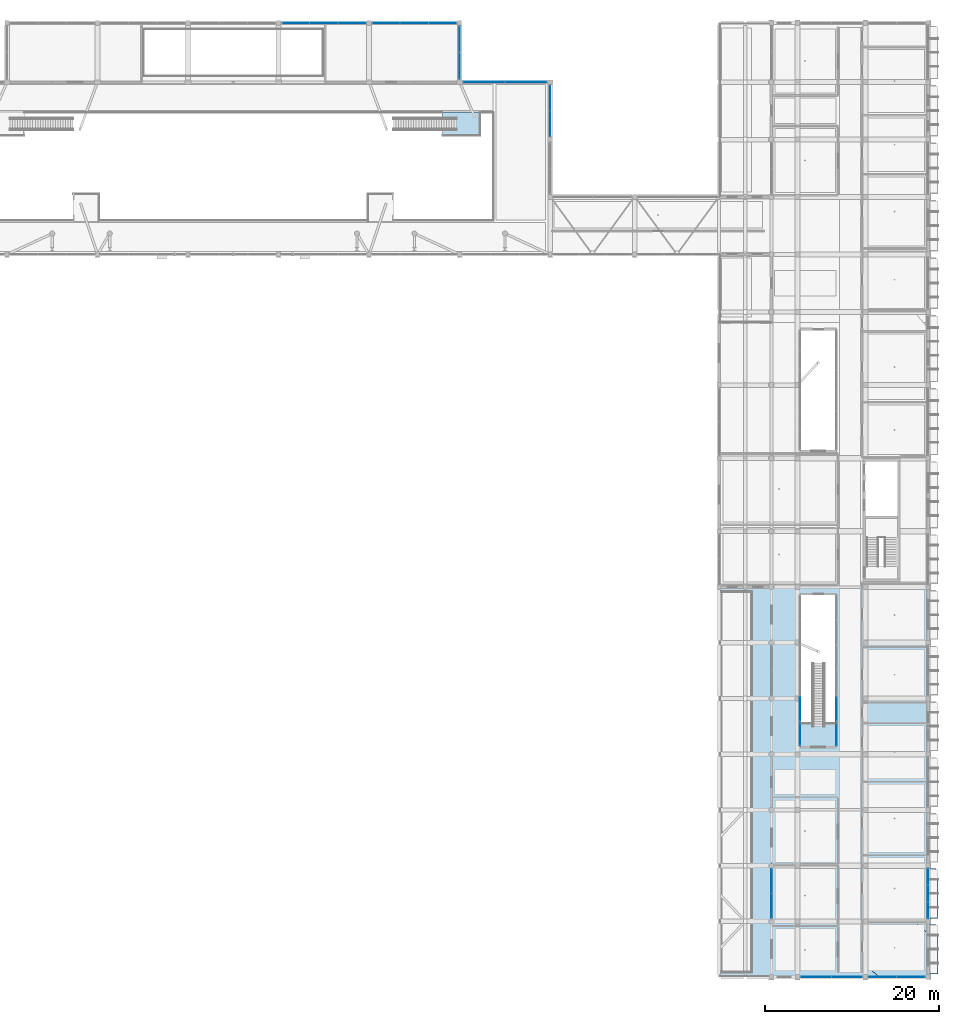
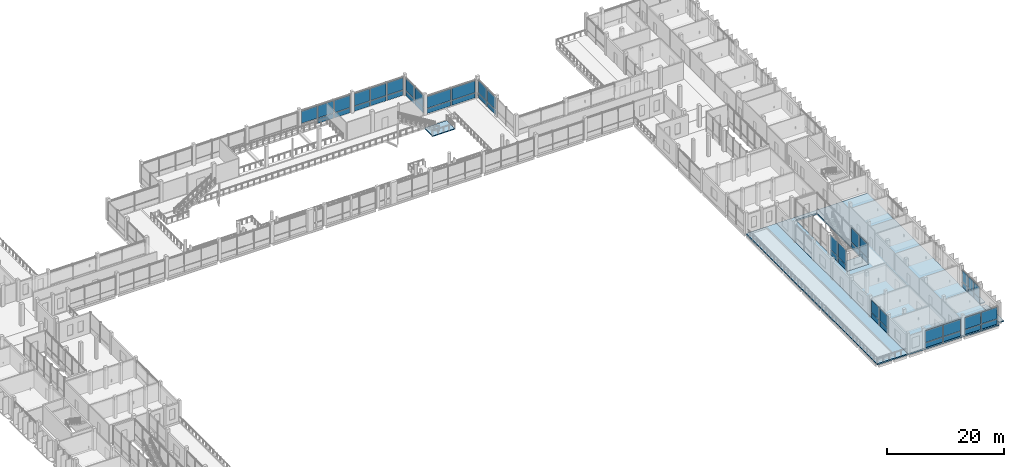
# One storey, part 48 of 95: 49 plates, 7 slabs, 11 elements without a shape of their own.
"""IFC4 building model written with IfcOpenShell, lengths in metres."""

from ifc_helpers import new_model, si_unit, derived_unit, direction, frame, origin, origin_2d, place, context, subcontext, project, spatial, polyline, rectangle, outline, extrude, material, layer, layer_set, type_object, element, aggregate, save


model = new_model("IFC4")

# Units and contexts
model_context = context("Model", 3, precision=1e-05, world=origin(), true_north=direction((0.0, 1.0)))
body_context = subcontext(model_context, "Body", "Model", "MODEL_VIEW")
ifc_project = project(units=[si_unit("LENGTHUNIT", "METRE"), si_unit("AREAUNIT", "SQUARE_METRE"), si_unit("VOLUMEUNIT", "CUBIC_METRE"), si_unit("PLANEANGLEUNIT", "RADIAN"), si_unit("MASSUNIT", "GRAM", prefix="KILO"), derived_unit("THERMALTRANSMITTANCEUNIT", [(si_unit("POWERUNIT", "WATT"), 1), (si_unit("LENGTHUNIT", "METRE"), -2), (si_unit("THERMODYNAMICTEMPERATUREUNIT", "KELVIN"), -1)])], contexts=[model_context])

# Site, building, storey
site_placement = place(None, origin())
site = spatial("IfcSite", under=ifc_project, at=site_placement, CompositionType="ELEMENT")
building_placement = place(site_placement, origin())
building = spatial("IfcBuilding", under=site, at=building_placement, Name="Braskholm Square Health Centre", CompositionType="ELEMENT")
storey_placement = place(building_placement, frame((0.0, 0.0, 4.800048828125)))
storey = spatial("IfcBuildingStorey", under=building, at=storey_placement, Name="L02", CompositionType="ELEMENT", Elevation=4.800048828125)

# Curtain wall, plates
ifc_material_1 = material(Name="Low-E triple insulating glass (VLT 0.64)", Category="glass")
curtain_wall_type_1 = type_object("IfcCurtainWallType", Name="UnitisedCurtainWall6200x3650", PredefinedType="NOTDEFINED", material=ifc_material_1)
curtain_wall_1_placement = place(storey_placement, origin())
curtain_wall_1 = element("IfcCurtainWall", 1, at=curtain_wall_1_placement, inside=storey, type_object=curtain_wall_type_1, Name="East Outer unitised curtain wall CW-L02-0052", PredefinedType="NOTDEFINED")
ifc_material_2 = material(Name="Architectural bronze anodised aluminium", Category="aluminium")
plate_type_1 = type_object("IfcPlateType", Name="CurtainPanelSpandrel1850x1020", PredefinedType="CURTAIN_PANEL", material=ifc_material_2)
plate_1_placement = place(storey_placement, frame((163.800048828125, 11.860107421875, 0.050048828125), z_axis=(0.0, 0.0, 1.0), x_axis=(0.0, 1.0, 0.0)))
plate_1 = element("IfcPlate", 2, at=plate_1_placement, type_object=plate_type_1, Name="CW-L02-0052 spandrel panel 1", PredefinedType="CURTAIN_PANEL", context=body_context, shape_type="SweptSolid", body=[
    extrude(rectangle(XDim=1.823486328125, YDim=0.035888671875, at=origin_2d()), origin(), (0.0, 0.0, 1.0), 1.02001953125),
])
plate_2_placement = place(storey_placement, frame((163.800048828125, 13.800048828125, 0.050048828125), z_axis=(0.0, 0.0, 1.0), x_axis=(0.0, 1.0, 0.0)))
plate_2 = element("IfcPlate", 3, at=plate_2_placement, type_object=plate_type_1, Name="CW-L02-0052 spandrel panel 2", PredefinedType="CURTAIN_PANEL", context=body_context, shape_type="SweptSolid", body=[
    extrude(rectangle(XDim=1.823486328125, YDim=0.035888671875, at=origin_2d()), origin(), (0.0, 0.0, 1.0), 1.02001953125),
])
plate_3_placement = place(storey_placement, frame((163.800048828125, 15.739990234375, 0.050048828125), z_axis=(0.0, 0.0, 1.0), x_axis=(0.0, 1.0, 0.0)))
plate_3 = element("IfcPlate", 4, at=plate_3_placement, type_object=plate_type_1, Name="CW-L02-0052 spandrel panel 3", PredefinedType="CURTAIN_PANEL", context=body_context, shape_type="SweptSolid", body=[
    extrude(rectangle(XDim=1.823486328125, YDim=0.035888671875, at=origin_2d()), origin(), (0.0, 0.0, 1.0), 1.02001953125),
])

curtain_wall_type_2 = type_object("IfcCurtainWallType", Name="UnitisedCurtainWall6200x3800", PredefinedType="NOTDEFINED", material=ifc_material_1)
curtain_wall_2_placement = place(storey_placement, origin())
curtain_wall_2 = element("IfcCurtainWall", 5, at=curtain_wall_2_placement, inside=storey, type_object=curtain_wall_type_2, Name="East Valley unitised curtain wall CW-L02-0117", PredefinedType="NOTDEFINED")
plate_type_2 = type_object("IfcPlateType", Name="CurtainPanelSpandrel2750x1020", PredefinedType="CURTAIN_PANEL", material=ifc_material_2)
plate_4_placement = place(storey_placement, frame((145.800048828125, 15.239990234375, 0.050048828125), z_axis=(0.0, 0.0, 1.0), x_axis=(0.0, -1.0, 0.0)))
plate_4 = element("IfcPlate", 6, at=plate_4_placement, type_object=plate_type_2, Name="CW-L02-0117 spandrel panel 1", PredefinedType="CURTAIN_PANEL", context=body_context, shape_type="SweptSolid", body=[
    extrude(rectangle(XDim=2.739990234375, YDim=0.035888671875, at=origin_2d()), origin(), (0.0, 0.0, 1.0), 1.02001953125),
])
plate_5_placement = place(storey_placement, frame((145.800048828125, 12.360107421875, 0.050048828125), z_axis=(0.0, 0.0, 1.0), x_axis=(0.0, -1.0, 0.0)))
plate_5 = element("IfcPlate", 7, at=plate_5_placement, type_object=plate_type_2, Name="CW-L02-0117 spandrel panel 2", PredefinedType="CURTAIN_PANEL", context=body_context, shape_type="SweptSolid", body=[
    extrude(rectangle(XDim=2.739990234375, YDim=0.035888671875, at=origin_2d()), origin(), (0.0, 0.0, 1.0), 1.02001953125),
])

curtain_wall_3_placement = place(storey_placement, origin())
curtain_wall_3 = element("IfcCurtainWall", 8, at=curtain_wall_3_placement, inside=storey, type_object=curtain_wall_type_2, Name="Hall Cheek L02 unitised curtain wall CW-L02-0224", PredefinedType="NOTDEFINED")
plate_6_placement = place(storey_placement, frame((120.39990234375, 102.218017578125, 0.050048828125), z_axis=(0.0, 0.0, 1.0), x_axis=(0.0, 1.0, 0.0)))
plate_6 = element("IfcPlate", 9, at=plate_6_placement, type_object=plate_type_2, Name="CW-L02-0224 spandrel panel 1", PredefinedType="CURTAIN_PANEL", context=body_context, shape_type="SweptSolid", body=[
    extrude(rectangle(XDim=2.820068359375, YDim=0.035888671875, at=origin_2d()), origin(), (0.0, 0.0, 1.0), 1.02001953125),
])
plate_7_placement = place(storey_placement, frame((120.39990234375, 105.181884765625, 0.050048828125), z_axis=(0.0, 0.0, 1.0), x_axis=(0.0, 1.0, 0.0)))
plate_7 = element("IfcPlate", 10, at=plate_7_placement, type_object=plate_type_2, Name="CW-L02-0224 spandrel panel 2", PredefinedType="CURTAIN_PANEL", context=body_context, shape_type="SweptSolid", body=[
    extrude(rectangle(XDim=2.820068359375, YDim=0.035888671875, at=origin_2d()), origin(), (0.0, 0.0, 1.0), 1.02001953125),
])

curtain_wall_4_placement = place(storey_placement, origin())
curtain_wall_4 = element("IfcCurtainWall", 11, at=curtain_wall_4_placement, inside=storey, type_object=curtain_wall_type_2, Name="Hydrotherapy East unitised curtain wall CW-L02-0248", PredefinedType="NOTDEFINED")
plate_8_placement = place(storey_placement, frame((110.0, 108.86865234375, 0.050048828125), z_axis=(0.0, 0.0, 1.0), x_axis=(0.0, 1.0, 0.0)))
plate_8 = element("IfcPlate", 12, at=plate_8_placement, type_object=plate_type_2, Name="CW-L02-0248 spandrel panel 1", PredefinedType="CURTAIN_PANEL", context=body_context, shape_type="SweptSolid", body=[
    extrude(rectangle(XDim=2.9140625, YDim=0.035888671875, at=origin_2d()), origin(), (0.0, 0.0, 1.0), 1.02001953125),
])
plate_9_placement = place(storey_placement, frame((110.0, 111.931396484375, 0.050048828125), z_axis=(0.0, 0.0, 1.0), x_axis=(0.0, 1.0, 0.0)))
plate_9 = element("IfcPlate", 13, at=plate_9_placement, type_object=plate_type_2, Name="CW-L02-0248 spandrel panel 2", PredefinedType="CURTAIN_PANEL", context=body_context, shape_type="SweptSolid", body=[
    extrude(rectangle(XDim=2.9140625, YDim=0.035888671875, at=origin_2d()), origin(), (0.0, 0.0, 1.0), 1.02001953125),
])

curtain_wall_type_3 = type_object("IfcCurtainWallType", Name="UnitisedCurtainWall5400x4100", PredefinedType="NOTDEFINED", material=ifc_material_1)
curtain_wall_5_placement = place(storey_placement, origin())
curtain_wall_5 = element("IfcCurtainWall", 14, at=curtain_wall_5_placement, inside=storey, type_object=curtain_wall_type_3, Name="EC1 Court W unitised curtain wall CW-L02-0327", PredefinedType="NOTDEFINED")
plate_10_placement = place(storey_placement, frame((149.10009765625, 32.187744140625, 0.050048828125), z_axis=(0.0, 0.0, 1.0), x_axis=(0.0, 1.0, 0.0)))
plate_10 = element("IfcPlate", 15, at=plate_10_placement, type_object=plate_type_2, Name="CW-L02-0327 spandrel panel 1", PredefinedType="CURTAIN_PANEL", context=body_context, shape_type="SweptSolid", body=[
    extrude(rectangle(XDim=2.689208984375, YDim=0.035888671875, at=origin_2d()), origin(), (0.0, 0.0, 1.0), 1.02001953125),
])
plate_11_placement = place(storey_placement, frame((149.10009765625, 35.014404296875, 0.050048828125), z_axis=(0.0, 0.0, 1.0), x_axis=(0.0, 1.0, 0.0)))
plate_11 = element("IfcPlate", 16, at=plate_11_placement, type_object=plate_type_2, Name="CW-L02-0327 spandrel panel 2", PredefinedType="CURTAIN_PANEL", context=body_context, shape_type="SweptSolid", body=[
    extrude(rectangle(XDim=2.689208984375, YDim=0.035888671875, at=origin_2d()), origin(), (0.0, 0.0, 1.0), 1.02001953125),
])

curtain_wall_6_placement = place(storey_placement, origin())
curtain_wall_6 = element("IfcCurtainWall", 17, at=curtain_wall_6_placement, inside=storey, type_object=curtain_wall_type_3, Name="EC1 Court E unitised curtain wall CW-L02-0328", PredefinedType="NOTDEFINED")
plate_12_placement = place(storey_placement, frame((153.300048828125, 35.014404296875, 0.050048828125), z_axis=(0.0, 0.0, 1.0), x_axis=(0.0, -1.0, 0.0)))
plate_12 = element("IfcPlate", 18, at=plate_12_placement, type_object=plate_type_2, Name="CW-L02-0328 spandrel panel 1", PredefinedType="CURTAIN_PANEL", context=body_context, shape_type="SweptSolid", body=[
    extrude(rectangle(XDim=2.689208984375, YDim=0.035888671875, at=origin_2d()), origin(), (0.0, 0.0, 1.0), 1.02001953125),
])
plate_13_placement = place(storey_placement, frame((153.300048828125, 32.187744140625, 0.050048828125), z_axis=(0.0, 0.0, 1.0), x_axis=(0.0, -1.0, 0.0)))
plate_13 = element("IfcPlate", 19, at=plate_13_placement, type_object=plate_type_2, Name="CW-L02-0328 spandrel panel 2", PredefinedType="CURTAIN_PANEL", context=body_context, shape_type="SweptSolid", body=[
    extrude(rectangle(XDim=2.689208984375, YDim=0.035888671875, at=origin_2d()), origin(), (0.0, 0.0, 1.0), 1.02001953125),
])

curtain_wall_7_placement = place(storey_placement, origin())
curtain_wall_7 = element("IfcCurtainWall", 20, at=curtain_wall_7_placement, inside=storey, type_object=curtain_wall_type_1, Name="Wing End unitised curtain wall CW-L02-0159", PredefinedType="NOTDEFINED")
plate_type_3 = type_object("IfcPlateType", Name="CurtainPanelSpandrel3150x1020", PredefinedType="CURTAIN_PANEL", material=ifc_material_2)
plate_14_placement = place(storey_placement, frame((150.91162109375, 4.199951171875, 0.050048828125), z_axis=(0.0, 0.0, 1.0), x_axis=(1.0, 0.0, 0.0)))
plate_14 = element("IfcPlate", 21, at=plate_14_placement, type_object=plate_type_3, Name="CW-L02-0159 spandrel panel 1", PredefinedType="CURTAIN_PANEL", context=body_context, shape_type="SweptSolid", body=[
    extrude(rectangle(XDim=3.40283203125, YDim=0.035888671875, at=origin_2d()), origin(), (0.0, 0.0, 1.0), 1.02001953125),
])
plate_15_placement = place(storey_placement, frame((154.48828125, 4.199951171875, 0.050048828125), z_axis=(0.0, 0.0, 1.0), x_axis=(1.0, 0.0, 0.0)))
plate_15 = element("IfcPlate", 22, at=plate_15_placement, type_object=plate_type_3, Name="CW-L02-0159 spandrel panel 2", PredefinedType="CURTAIN_PANEL", context=body_context, shape_type="SweptSolid", body=[
    extrude(rectangle(XDim=3.40283203125, YDim=0.035888671875, at=origin_2d()), origin(), (0.0, 0.0, 1.0), 1.02001953125),
])

curtain_wall_8_placement = place(storey_placement, origin())
curtain_wall_8 = element("IfcCurtainWall", 23, at=curtain_wall_8_placement, inside=storey, type_object=curtain_wall_type_1, Name="Wing End unitised curtain wall CW-L02-0160", PredefinedType="NOTDEFINED")
plate_16_placement = place(storey_placement, frame((158.559814453125, 4.199951171875, 0.050048828125), z_axis=(0.0, 0.0, 1.0), x_axis=(1.0, 0.0, 0.0)))
plate_16 = element("IfcPlate", 24, at=plate_16_placement, type_object=plate_type_3, Name="CW-L02-0160 spandrel panel 1", PredefinedType="CURTAIN_PANEL", context=body_context, shape_type="SweptSolid", body=[
    extrude(rectangle(XDim=3.120849609375, YDim=0.035888671875, at=origin_2d()), origin(), (0.0, 0.0, 1.0), 1.02001953125),
])
plate_17_placement = place(storey_placement, frame((161.840087890625, 4.199951171875, 0.050048828125), z_axis=(0.0, 0.0, 1.0), x_axis=(1.0, 0.0, 0.0)))
plate_17 = element("IfcPlate", 25, at=plate_17_placement, type_object=plate_type_3, Name="CW-L02-0160 spandrel panel 2", PredefinedType="CURTAIN_PANEL", context=body_context, shape_type="SweptSolid", body=[
    extrude(rectangle(XDim=3.120849609375, YDim=0.035888671875, at=origin_2d()), origin(), (0.0, 0.0, 1.0), 1.02001953125),
])

curtain_wall_9_placement = place(storey_placement, origin())
curtain_wall_9 = element("IfcCurtainWall", 26, at=curtain_wall_9_placement, inside=storey, type_object=curtain_wall_type_2, Name="Hydrotherapy North unitised curtain wall CW-L02-0245", PredefinedType="NOTDEFINED")
plate_18_placement = place(storey_placement, frame((97.666748046875, 113.800048828125, 0.050048828125), z_axis=(0.0, 0.0, 1.0), x_axis=(-1.0, 0.0, 0.0)))
plate_18 = element("IfcPlate", 27, at=plate_18_placement, type_object=plate_type_3, Name="CW-L02-0245 spandrel panel 1", PredefinedType="CURTAIN_PANEL", context=body_context, shape_type="SweptSolid", body=[
    extrude(rectangle(XDim=3.07080078125, YDim=0.035888671875, at=origin_2d()), origin(), (0.0, 0.0, 1.0), 1.02001953125),
])
plate_19_placement = place(storey_placement, frame((94.39990234375, 113.800048828125, 0.050048828125), z_axis=(0.0, 0.0, 1.0), x_axis=(-1.0, 0.0, 0.0)))
plate_19 = element("IfcPlate", 28, at=plate_19_placement, type_object=plate_type_3, Name="CW-L02-0245 spandrel panel 2", PredefinedType="CURTAIN_PANEL", context=body_context, shape_type="SweptSolid", body=[
    extrude(rectangle(XDim=3.07080078125, YDim=0.035888671875, at=origin_2d()), origin(), (0.0, 0.0, 1.0), 1.02001953125),
])

curtain_wall_10_placement = place(storey_placement, origin())
curtain_wall_10 = element("IfcCurtainWall", 29, at=curtain_wall_10_placement, inside=storey, type_object=curtain_wall_type_2, Name="Hydrotherapy North unitised curtain wall CW-L02-0246", PredefinedType="NOTDEFINED")
plate_20_placement = place(storey_placement, frame((108.066650390625, 113.800048828125, 0.050048828125), z_axis=(0.0, 0.0, 1.0), x_axis=(-1.0, 0.0, 0.0)))
plate_20 = element("IfcPlate", 30, at=plate_20_placement, type_object=plate_type_3, Name="CW-L02-0246 spandrel panel 1", PredefinedType="CURTAIN_PANEL", context=body_context, shape_type="SweptSolid", body=[
    extrude(rectangle(XDim=3.07080078125, YDim=0.035888671875, at=origin_2d()), origin(), (0.0, 0.0, 1.0), 1.02001953125),
])
plate_21_placement = place(storey_placement, frame((104.800048828125, 113.800048828125, 0.050048828125), z_axis=(0.0, 0.0, 1.0), x_axis=(-1.0, 0.0, 0.0)))
plate_21 = element("IfcPlate", 31, at=plate_21_placement, type_object=plate_type_3, Name="CW-L02-0246 spandrel panel 2", PredefinedType="CURTAIN_PANEL", context=body_context, shape_type="SweptSolid", body=[
    extrude(rectangle(XDim=3.07080078125, YDim=0.035888671875, at=origin_2d()), origin(), (0.0, 0.0, 1.0), 1.02001953125),
])
plate_22_placement = place(storey_placement, frame((101.533203125, 113.800048828125, 0.050048828125), z_axis=(0.0, 0.0, 1.0), x_axis=(-1.0, 0.0, 0.0)))
plate_22 = element("IfcPlate", 32, at=plate_22_placement, type_object=plate_type_3, Name="CW-L02-0246 spandrel panel 3", PredefinedType="CURTAIN_PANEL", context=body_context, shape_type="SweptSolid", body=[
    extrude(rectangle(XDim=3.07080078125, YDim=0.035888671875, at=origin_2d()), origin(), (0.0, 0.0, 1.0), 1.02001953125),
])

curtain_wall_11_placement = place(storey_placement, origin())
curtain_wall_11 = element("IfcCurtainWall", 33, at=curtain_wall_11_placement, inside=storey, type_object=curtain_wall_type_2, Name="Hall North unitised curtain wall CW-L02-0216", PredefinedType="NOTDEFINED")
plate_type_4 = type_object("IfcPlateType", Name="CurtainPanelSpandrel4350x1020", PredefinedType="CURTAIN_PANEL", material=ifc_material_2)
plate_23_placement = place(storey_placement, frame((117.62060546875, 107.0, 0.050048828125), z_axis=(0.0, 0.0, 1.0), x_axis=(-1.0, 0.0, 0.0)))
plate_23 = element("IfcPlate", 34, at=plate_23_placement, type_object=plate_type_4, Name="CW-L02-0216 spandrel panel 1", PredefinedType="CURTAIN_PANEL", context=body_context, shape_type="SweptSolid", body=[
    extrude(rectangle(XDim=4.60595703125, YDim=0.035888671875, at=origin_2d()), origin(), (0.0, 0.0, 1.0), 1.02001953125),
])
plate_24_placement = place(storey_placement, frame((112.779296875, 107.0, 0.050048828125), z_axis=(0.0, 0.0, 1.0), x_axis=(-1.0, 0.0, 0.0)))
plate_24 = element("IfcPlate", 35, at=plate_24_placement, type_object=plate_type_4, Name="CW-L02-0216 spandrel panel 2", PredefinedType="CURTAIN_PANEL", context=body_context, shape_type="SweptSolid", body=[
    extrude(rectangle(XDim=4.60595703125, YDim=0.035888671875, at=origin_2d()), origin(), (0.0, 0.0, 1.0), 1.02001953125),
])

# Plate
plate_type_5 = type_object("IfcPlateType", Name="CurtainPanelVision1850x2520", PredefinedType="CURTAIN_PANEL", material=ifc_material_1)
plate_25_placement = place(storey_placement, frame((163.800048828125, 11.860107421875, 1.169921875), z_axis=(0.0, 0.0, 1.0), x_axis=(0.0, 1.0, 0.0)))
plate_25 = element("IfcPlate", 36, at=plate_25_placement, type_object=plate_type_5, Name="CW-L02-0052 vision glass panel 1", PredefinedType="CURTAIN_PANEL", context=body_context, shape_type="SweptSolid", body=[
    extrude(rectangle(XDim=1.823486328125, YDim=0.035888671875, at=origin_2d()), origin(), (0.0, 0.0, 1.0), 2.3701171875),
])

plate_26_placement = place(storey_placement, frame((163.800048828125, 13.800048828125, 1.169921875), z_axis=(0.0, 0.0, 1.0), x_axis=(0.0, 1.0, 0.0)))
plate_26 = element("IfcPlate", 37, at=plate_26_placement, type_object=plate_type_5, Name="CW-L02-0052 vision glass panel 2", PredefinedType="CURTAIN_PANEL", context=body_context, shape_type="SweptSolid", body=[
    extrude(rectangle(XDim=1.823486328125, YDim=0.035888671875, at=origin_2d()), origin(), (0.0, 0.0, 1.0), 2.3701171875),
])

plate_27_placement = place(storey_placement, frame((163.800048828125, 15.739990234375, 1.169921875), z_axis=(0.0, 0.0, 1.0), x_axis=(0.0, 1.0, 0.0)))
plate_27 = element("IfcPlate", 38, at=plate_27_placement, type_object=plate_type_5, Name="CW-L02-0052 vision glass panel 3", PredefinedType="CURTAIN_PANEL", context=body_context, shape_type="SweptSolid", body=[
    extrude(rectangle(XDim=1.823486328125, YDim=0.035888671875, at=origin_2d()), origin(), (0.0, 0.0, 1.0), 2.3701171875),
])

aggregate(curtain_wall_1, [plate_1, plate_25, plate_2, plate_26, plate_3, plate_27])

plate_type_6 = type_object("IfcPlateType", Name="CurtainPanelVision2750x2520", PredefinedType="CURTAIN_PANEL", material=ifc_material_1)
plate_28_placement = place(storey_placement, frame((145.800048828125, 15.239990234375, 1.169921875), z_axis=(0.0, 0.0, 1.0), x_axis=(0.0, -1.0, 0.0)))
plate_28 = element("IfcPlate", 39, at=plate_28_placement, type_object=plate_type_6, Name="CW-L02-0117 vision glass panel 1", PredefinedType="CURTAIN_PANEL", context=body_context, shape_type="SweptSolid", body=[
    extrude(rectangle(XDim=2.739990234375, YDim=0.035888671875, at=origin_2d()), origin(), (0.0, 0.0, 1.0), 2.510009765625),
])

plate_29_placement = place(storey_placement, frame((145.800048828125, 12.360107421875, 1.169921875), z_axis=(0.0, 0.0, 1.0), x_axis=(0.0, -1.0, 0.0)))
plate_29 = element("IfcPlate", 40, at=plate_29_placement, type_object=plate_type_6, Name="CW-L02-0117 vision glass panel 2", PredefinedType="CURTAIN_PANEL", context=body_context, shape_type="SweptSolid", body=[
    extrude(rectangle(XDim=2.739990234375, YDim=0.035888671875, at=origin_2d()), origin(), (0.0, 0.0, 1.0), 2.510009765625),
])

aggregate(curtain_wall_2, [plate_4, plate_28, plate_5, plate_29])

plate_30_placement = place(storey_placement, frame((120.39990234375, 102.218017578125, 1.169921875), z_axis=(0.0, 0.0, 1.0), x_axis=(0.0, 1.0, 0.0)))
plate_30 = element("IfcPlate", 41, at=plate_30_placement, type_object=plate_type_6, Name="CW-L02-0224 vision glass panel 1", PredefinedType="CURTAIN_PANEL", context=body_context, shape_type="SweptSolid", body=[
    extrude(rectangle(XDim=2.820068359375, YDim=0.035888671875, at=origin_2d()), origin(), (0.0, 0.0, 1.0), 2.5400390625),
])

plate_31_placement = place(storey_placement, frame((120.39990234375, 105.181884765625, 1.169921875), z_axis=(0.0, 0.0, 1.0), x_axis=(0.0, 1.0, 0.0)))
plate_31 = element("IfcPlate", 42, at=plate_31_placement, type_object=plate_type_6, Name="CW-L02-0224 vision glass panel 2", PredefinedType="CURTAIN_PANEL", context=body_context, shape_type="SweptSolid", body=[
    extrude(rectangle(XDim=2.820068359375, YDim=0.035888671875, at=origin_2d()), origin(), (0.0, 0.0, 1.0), 2.5400390625),
])

aggregate(curtain_wall_3, [plate_6, plate_30, plate_7, plate_31])

plate_32_placement = place(storey_placement, frame((110.0, 108.86865234375, 1.169921875), z_axis=(0.0, 0.0, 1.0), x_axis=(0.0, 1.0, 0.0)))
plate_32 = element("IfcPlate", 43, at=plate_32_placement, type_object=plate_type_6, Name="CW-L02-0248 vision glass panel 1", PredefinedType="CURTAIN_PANEL", context=body_context, shape_type="SweptSolid", body=[
    extrude(rectangle(XDim=2.9140625, YDim=0.035888671875, at=origin_2d()), origin(), (0.0, 0.0, 1.0), 2.5400390625),
])

plate_33_placement = place(storey_placement, frame((110.0, 111.931396484375, 1.169921875), z_axis=(0.0, 0.0, 1.0), x_axis=(0.0, 1.0, 0.0)))
plate_33 = element("IfcPlate", 44, at=plate_33_placement, type_object=plate_type_6, Name="CW-L02-0248 vision glass panel 2", PredefinedType="CURTAIN_PANEL", context=body_context, shape_type="SweptSolid", body=[
    extrude(rectangle(XDim=2.9140625, YDim=0.035888671875, at=origin_2d()), origin(), (0.0, 0.0, 1.0), 2.5400390625),
])

aggregate(curtain_wall_4, [plate_8, plate_32, plate_9, plate_33])

plate_type_7 = type_object("IfcPlateType", Name="CurtainPanelVision2750x2950", PredefinedType="CURTAIN_PANEL", material=ifc_material_1)
plate_34_placement = place(storey_placement, frame((149.10009765625, 32.187744140625, 1.169921875), z_axis=(0.0, 0.0, 1.0), x_axis=(0.0, 1.0, 0.0)))
plate_34 = element("IfcPlate", 45, at=plate_34_placement, type_object=plate_type_7, Name="CW-L02-0327 vision glass panel 1", PredefinedType="CURTAIN_PANEL", context=body_context, shape_type="SweptSolid", body=[
    extrude(rectangle(XDim=2.689208984375, YDim=0.035888671875, at=origin_2d()), origin(), (0.0, 0.0, 1.0), 2.969970703125),
])

plate_35_placement = place(storey_placement, frame((149.10009765625, 35.014404296875, 1.169921875), z_axis=(0.0, 0.0, 1.0), x_axis=(0.0, 1.0, 0.0)))
plate_35 = element("IfcPlate", 46, at=plate_35_placement, type_object=plate_type_7, Name="CW-L02-0327 vision glass panel 2", PredefinedType="CURTAIN_PANEL", context=body_context, shape_type="SweptSolid", body=[
    extrude(rectangle(XDim=2.689208984375, YDim=0.035888671875, at=origin_2d()), origin(), (0.0, 0.0, 1.0), 2.969970703125),
])

aggregate(curtain_wall_5, [plate_10, plate_34, plate_11, plate_35])

plate_36_placement = place(storey_placement, frame((153.300048828125, 35.014404296875, 1.169921875), z_axis=(0.0, 0.0, 1.0), x_axis=(0.0, -1.0, 0.0)))
plate_36 = element("IfcPlate", 47, at=plate_36_placement, type_object=plate_type_7, Name="CW-L02-0328 vision glass panel 1", PredefinedType="CURTAIN_PANEL", context=body_context, shape_type="SweptSolid", body=[
    extrude(rectangle(XDim=2.689208984375, YDim=0.035888671875, at=origin_2d()), origin(), (0.0, 0.0, 1.0), 2.969970703125),
])

plate_37_placement = place(storey_placement, frame((153.300048828125, 32.187744140625, 1.169921875), z_axis=(0.0, 0.0, 1.0), x_axis=(0.0, -1.0, 0.0)))
plate_37 = element("IfcPlate", 48, at=plate_37_placement, type_object=plate_type_7, Name="CW-L02-0328 vision glass panel 2", PredefinedType="CURTAIN_PANEL", context=body_context, shape_type="SweptSolid", body=[
    extrude(rectangle(XDim=2.689208984375, YDim=0.035888671875, at=origin_2d()), origin(), (0.0, 0.0, 1.0), 2.969970703125),
])

aggregate(curtain_wall_6, [plate_12, plate_36, plate_13, plate_37])

plate_type_8 = type_object("IfcPlateType", Name="CurtainPanelVision3150x2520", PredefinedType="CURTAIN_PANEL", material=ifc_material_1)
plate_38_placement = place(storey_placement, frame((150.91162109375, 4.199951171875, 1.169921875), z_axis=(0.0, 0.0, 1.0), x_axis=(1.0, 0.0, 0.0)))
plate_38 = element("IfcPlate", 49, at=plate_38_placement, type_object=plate_type_8, Name="CW-L02-0159 vision glass panel 1", PredefinedType="CURTAIN_PANEL", context=body_context, shape_type="SweptSolid", body=[
    extrude(rectangle(XDim=3.40283203125, YDim=0.035888671875, at=origin_2d()), origin(), (0.0, 0.0, 1.0), 2.419921875),
])

plate_39_placement = place(storey_placement, frame((154.48828125, 4.199951171875, 1.169921875), z_axis=(0.0, 0.0, 1.0), x_axis=(1.0, 0.0, 0.0)))
plate_39 = element("IfcPlate", 50, at=plate_39_placement, type_object=plate_type_8, Name="CW-L02-0159 vision glass panel 2", PredefinedType="CURTAIN_PANEL", context=body_context, shape_type="SweptSolid", body=[
    extrude(rectangle(XDim=3.40283203125, YDim=0.035888671875, at=origin_2d()), origin(), (0.0, 0.0, 1.0), 2.419921875),
])

aggregate(curtain_wall_7, [plate_14, plate_38, plate_15, plate_39])

plate_40_placement = place(storey_placement, frame((158.559814453125, 4.199951171875, 1.169921875), z_axis=(0.0, 0.0, 1.0), x_axis=(1.0, 0.0, 0.0)))
plate_40 = element("IfcPlate", 51, at=plate_40_placement, type_object=plate_type_8, Name="CW-L02-0160 vision glass panel 1", PredefinedType="CURTAIN_PANEL", context=body_context, shape_type="SweptSolid", body=[
    extrude(rectangle(XDim=3.120849609375, YDim=0.035888671875, at=origin_2d()), origin(), (0.0, 0.0, 1.0), 2.419921875),
])

plate_41_placement = place(storey_placement, frame((161.840087890625, 4.199951171875, 1.169921875), z_axis=(0.0, 0.0, 1.0), x_axis=(1.0, 0.0, 0.0)))
plate_41 = element("IfcPlate", 52, at=plate_41_placement, type_object=plate_type_8, Name="CW-L02-0160 vision glass panel 2", PredefinedType="CURTAIN_PANEL", context=body_context, shape_type="SweptSolid", body=[
    extrude(rectangle(XDim=3.120849609375, YDim=0.035888671875, at=origin_2d()), origin(), (0.0, 0.0, 1.0), 2.419921875),
])

aggregate(curtain_wall_8, [plate_16, plate_40, plate_17, plate_41])

plate_42_placement = place(storey_placement, frame((97.666748046875, 113.800048828125, 1.169921875), z_axis=(0.0, 0.0, 1.0), x_axis=(-1.0, 0.0, 0.0)))
plate_42 = element("IfcPlate", 53, at=plate_42_placement, type_object=plate_type_8, Name="CW-L02-0245 vision glass panel 1", PredefinedType="CURTAIN_PANEL", context=body_context, shape_type="SweptSolid", body=[
    extrude(rectangle(XDim=3.07080078125, YDim=0.035888671875, at=origin_2d()), origin(), (0.0, 0.0, 1.0), 2.556884765625),
])

plate_43_placement = place(storey_placement, frame((94.39990234375, 113.800048828125, 1.169921875), z_axis=(0.0, 0.0, 1.0), x_axis=(-1.0, 0.0, 0.0)))
plate_43 = element("IfcPlate", 54, at=plate_43_placement, type_object=plate_type_8, Name="CW-L02-0245 vision glass panel 2", PredefinedType="CURTAIN_PANEL", context=body_context, shape_type="SweptSolid", body=[
    extrude(rectangle(XDim=3.07080078125, YDim=0.035888671875, at=origin_2d()), origin(), (0.0, 0.0, 1.0), 2.556884765625),
])

plate_44_placement = place(storey_placement, frame((91.13330078125, 113.800048828125, 1.169921875), z_axis=(0.0, 0.0, 1.0), x_axis=(-1.0, 0.0, 0.0)))
plate_44 = element("IfcPlate", 55, at=plate_44_placement, type_object=plate_type_8, Name="CW-L02-0245 vision glass panel 3", PredefinedType="CURTAIN_PANEL", context=body_context, shape_type="SweptSolid", body=[
    extrude(rectangle(XDim=3.07080078125, YDim=0.035888671875, at=origin_2d()), origin(), (0.0, 0.0, 1.0), 2.556884765625),
])

aggregate(curtain_wall_9, [plate_18, plate_42, plate_19, plate_43, plate_44])

plate_45_placement = place(storey_placement, frame((108.066650390625, 113.800048828125, 1.169921875), z_axis=(0.0, 0.0, 1.0), x_axis=(-1.0, 0.0, 0.0)))
plate_45 = element("IfcPlate", 56, at=plate_45_placement, type_object=plate_type_8, Name="CW-L02-0246 vision glass panel 1", PredefinedType="CURTAIN_PANEL", context=body_context, shape_type="SweptSolid", body=[
    extrude(rectangle(XDim=3.07080078125, YDim=0.035888671875, at=origin_2d()), origin(), (0.0, 0.0, 1.0), 2.556884765625),
])

plate_46_placement = place(storey_placement, frame((104.800048828125, 113.800048828125, 1.169921875), z_axis=(0.0, 0.0, 1.0), x_axis=(-1.0, 0.0, 0.0)))
plate_46 = element("IfcPlate", 57, at=plate_46_placement, type_object=plate_type_8, Name="CW-L02-0246 vision glass panel 2", PredefinedType="CURTAIN_PANEL", context=body_context, shape_type="SweptSolid", body=[
    extrude(rectangle(XDim=3.07080078125, YDim=0.035888671875, at=origin_2d()), origin(), (0.0, 0.0, 1.0), 2.556884765625),
])

plate_47_placement = place(storey_placement, frame((101.533203125, 113.800048828125, 1.169921875), z_axis=(0.0, 0.0, 1.0), x_axis=(-1.0, 0.0, 0.0)))
plate_47 = element("IfcPlate", 58, at=plate_47_placement, type_object=plate_type_8, Name="CW-L02-0246 vision glass panel 3", PredefinedType="CURTAIN_PANEL", context=body_context, shape_type="SweptSolid", body=[
    extrude(rectangle(XDim=3.07080078125, YDim=0.035888671875, at=origin_2d()), origin(), (0.0, 0.0, 1.0), 2.556884765625),
])

aggregate(curtain_wall_10, [plate_20, plate_45, plate_21, plate_46, plate_22, plate_47])

plate_type_9 = type_object("IfcPlateType", Name="CurtainPanelVision4350x2520", PredefinedType="CURTAIN_PANEL", material=ifc_material_1)
plate_48_placement = place(storey_placement, frame((117.62060546875, 107.0, 1.169921875), z_axis=(0.0, 0.0, 1.0), x_axis=(-1.0, 0.0, 0.0)))
plate_48 = element("IfcPlate", 59, at=plate_48_placement, type_object=plate_type_9, Name="CW-L02-0216 vision glass panel 1", PredefinedType="CURTAIN_PANEL", context=body_context, shape_type="SweptSolid", body=[
    extrude(rectangle(XDim=4.60595703125, YDim=0.035888671875, at=origin_2d()), origin(), (0.0, 0.0, 1.0), 2.45703125),
])

plate_49_placement = place(storey_placement, frame((112.779296875, 107.0, 1.169921875), z_axis=(0.0, 0.0, 1.0), x_axis=(-1.0, 0.0, 0.0)))
plate_49 = element("IfcPlate", 60, at=plate_49_placement, type_object=plate_type_9, Name="CW-L02-0216 vision glass panel 2", PredefinedType="CURTAIN_PANEL", context=body_context, shape_type="SweptSolid", body=[
    extrude(rectangle(XDim=4.60595703125, YDim=0.035888671875, at=origin_2d()), origin(), (0.0, 0.0, 1.0), 2.45703125),
])

aggregate(curtain_wall_11, [plate_23, plate_48, plate_24, plate_49])

# Slabs
ifc_material_3 = material(Name="Precast concrete C40/50 architectural white", Category="concrete")
ifc_layer_1 = layer(ifc_material_3, 0.2099609375)
ifc_layer_set_1 = layer_set([ifc_layer_1], Name="Precast concrete C40/50 architectural white")
slab_type_1 = type_object("IfcSlabType", Name="PitchedAndCrownRoofSlab150", PredefinedType="ROOF", material=ifc_layer_set_1)
slab_1_placement = place(storey_placement, frame((0.0, 0.0, -0.2099609375)))
element("IfcSlab", 61, at=slab_1_placement, inside=storey, type_object=slab_type_1, Name="Level L02 East precast planter ledge 065", PredefinedType="ROOF", context=body_context, shape_type="SweptSolid", body=[
    extrude(outline(polyline([(164.052978515625, 4.550048828125), (164.949951171875, 4.550048828125), (164.949951171875, 8.99609375), (164.697021484375, 10.25), (163.800048828125, 10.25), (163.800048828125, 5.803955078125), (164.052978515625, 4.550048828125)])), origin(), (0.0, 0.0, 1.0), 0.2099609375),
])
slab_2_placement = place(storey_placement, frame((0.0, 0.0, -0.2099609375)))
element("IfcSlab", 62, at=slab_2_placement, inside=storey, type_object=slab_type_1, Name="Level L02 East precast planter ledge 066", PredefinedType="ROOF", context=body_context, shape_type="SweptSolid", body=[
    extrude(outline(polyline([(164.052978515625, 10.949951171875), (164.949951171875, 10.949951171875), (164.949951171875, 15.39599609375), (164.697021484375, 16.64990234375), (163.800048828125, 16.64990234375), (163.800048828125, 12.2041015625), (164.052978515625, 10.949951171875)])), origin(), (0.0, 0.0, 1.0), 0.2099609375),
])
ifc_material_4 = material(Name="Concrete C35/45 (f'c = 35 MPa)", Category="concrete")
ifc_layer_2 = layer(ifc_material_4, 0.25)
ifc_layer_set_2 = layer_set([ifc_layer_2], Name="Concrete C35/45 (f'c = 35 MPa)")
slab_type_2 = type_object("IfcSlabType", Name="PlantedTerraceRoofSlab250", PredefinedType="ROOF", material=ifc_layer_set_2)
slab_3_placement = place(storey_placement, frame((0.0, 0.0, -0.25)))
element("IfcSlab", 63, at=slab_3_placement, inside=storey, type_object=slab_type_2, Name="Level L02 Southeast cafe colonnade planted terrace slab", PredefinedType="ROOF", context=body_context, shape_type="SweptSolid", body=[
    extrude(outline(polyline([(139.800048828125, 4.199951171875), (145.800048828125, 4.199951171875), (145.800048828125, 49.0), (139.800048828125, 49.0), (139.800048828125, 4.199951171875)])), origin(), (0.0, 0.0, 1.0), 0.25),
])
ifc_layer_3 = layer(ifc_material_4, 0.199951171875)
ifc_layer_set_3 = layer_set([ifc_layer_3], Name="Concrete C35/45 (f'c = 35 MPa)")
slab_type_3 = type_object("IfcSlabType", Name="PunchingDropPanel200", PredefinedType="USERDEFINED", material=ifc_layer_set_3)
slab_4_placement = place(storey_placement, frame((0.0, 0.0, -0.5)))
element("IfcSlab", 64, at=slab_4_placement, inside=storey, type_object=slab_type_3, Name="Thickened vibration drop panel 007 L02", ObjectType="DROPPANEL", PredefinedType="USERDEFINED", context=body_context, shape_type="SweptSolid", body=[
    extrude(outline(polyline([(158.18408203125, 4.199951171875), (163.800048828125, 4.199951171875), (163.800048828125, 9.19189453125), (162.216064453125, 10.60009765625), (156.60009765625, 10.60009765625), (156.60009765625, 5.60791015625), (158.18408203125, 4.199951171875)])), origin(), (0.0, 0.0, 1.0), 0.199951171875),
])
ifc_layer_4 = layer(ifc_material_4, 0.179931640625)
ifc_layer_set_4 = layer_set([ifc_layer_4], Name="Concrete C35/45 (f'c = 35 MPa)")
slab_type_4 = type_object("IfcSlabType", Name="StairLandingSlab180", PredefinedType="LANDING", material=ifc_layer_set_4)
slab_5_placement = place(storey_placement, frame((0.0, 0.0, -0.179931640625)))
element("IfcSlab", 65, at=slab_5_placement, inside=storey, type_object=slab_type_4, Name="Atrium feature stair landing SLAB-L02-HALL-START-E", PredefinedType="LANDING", context=body_context, shape_type="SweptSolid", body=[
    extrude(outline(polyline([(108.0, 100.800048828125), (112.39990234375, 100.800048828125), (112.39990234375, 103.590087890625), (108.0, 103.590087890625), (108.0, 100.800048828125)])), origin(), (0.0, 0.0, 1.0), 0.179931640625),
])
slab_6_placement = place(storey_placement, frame((0.0, 0.0, -0.179931640625)))
element("IfcSlab", 66, at=slab_6_placement, inside=storey, type_object=slab_type_4, Name="Atrium feature stair landing SLAB-BASE-COURT-E1", PredefinedType="LANDING", context=body_context, shape_type="SweptSolid", body=[
    extrude(outline(polyline([(149.10009765625, 30.60009765625), (153.300048828125, 30.60009765625), (153.300048828125, 33.39990234375), (149.10009765625, 33.39990234375), (149.10009765625, 30.60009765625)])), origin(), (0.0, 0.0, 1.0), 0.179931640625),
])
ifc_layer_5 = layer(ifc_material_4, 0.300048828125)
ifc_layer_set_5 = layer_set([ifc_layer_5], Name="Concrete C35/45 (f'c = 35 MPa)")
slab_type_5 = type_object("IfcSlabType", Name="TwoWayClinicalFlatSlab300", PredefinedType="FLOOR", material=ifc_layer_set_5)
slab_7_placement = place(storey_placement, frame((0.0, 0.0, -0.300048828125)))
element("IfcSlab", 67, at=slab_7_placement, inside=storey, type_object=slab_type_5, Name="Level L02 V6 Community health classrooms slab", PredefinedType="FLOOR", context=body_context, shape_type="SweptSolid", body=[
    extrude(outline(polyline([(145.800048828125, 4.199951171875), (163.800048828125, 4.199951171875), (163.800048828125, 49.0), (145.800048828125, 49.0), (145.800048828125, 4.199951171875)]), holes=[polyline([(149.10009765625, 30.60009765625), (153.300048828125, 30.60009765625), (153.300048828125, 48.199951171875), (149.10009765625, 48.199951171875), (149.10009765625, 30.60009765625)])]), origin(), (0.0, 0.0, 1.0), 0.300048828125),
])

save(model, "model.ifc")
